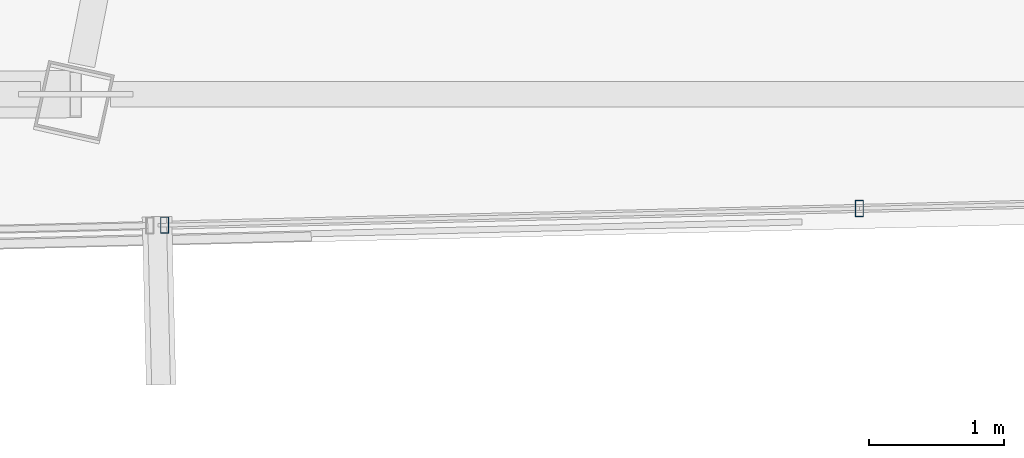
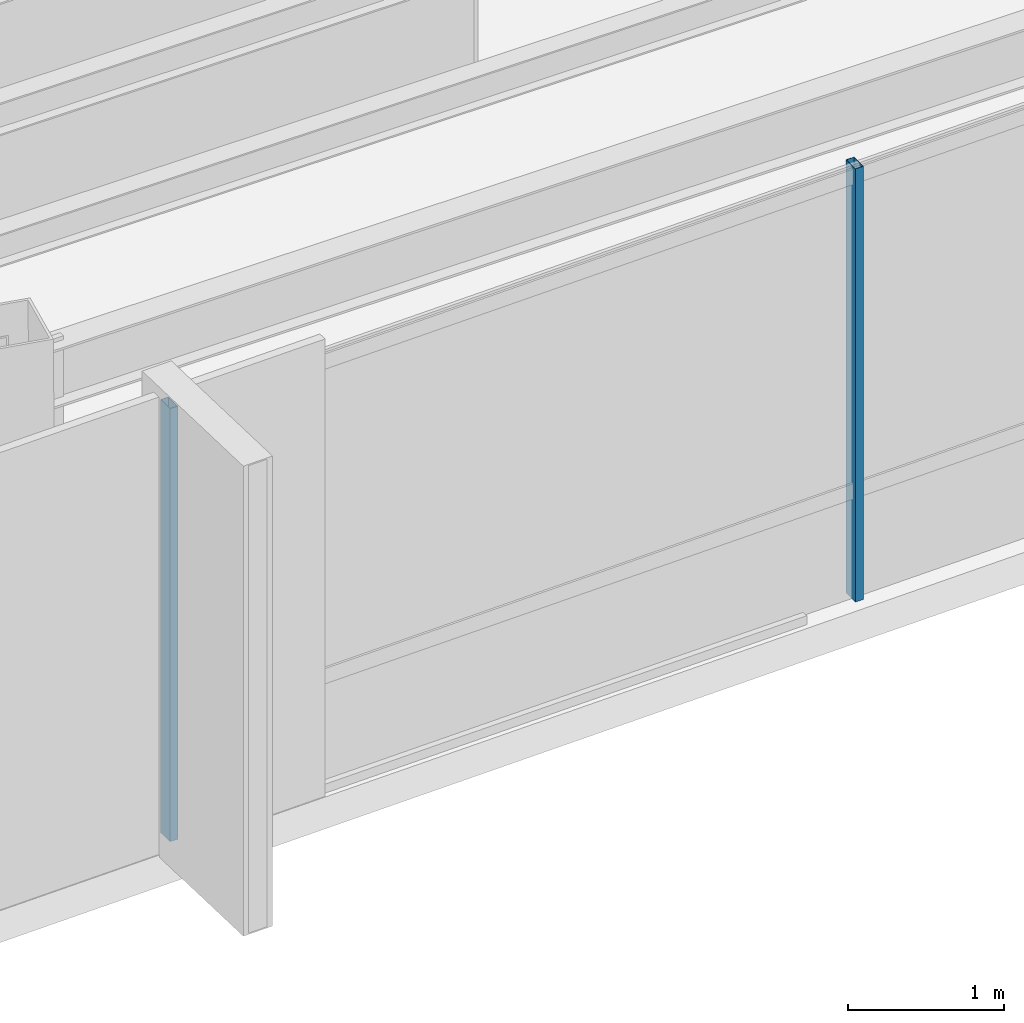
# One storey, part 21 of 45: 2 members, 1 element without a shape of its own.
"""IFC4 building model written with IfcOpenShell, lengths in metres."""

from ifc_helpers import new_model, si_unit, direction, frame, origin, origin_2d, place, context, subcontext, project, spatial, hollow_rectangle, extrude, source, transform, mapped, material, material_profile, profile_set, type_object, type_shapes, element, aggregate, save


model = new_model("IFC4")

# Units and contexts
model_context = context("Model", 3, precision=1e-05, world=origin(), true_north=direction((0.0, 1.0)))
body_context = subcontext(model_context, "Body", "Model", "MODEL_VIEW")
ifc_project = project(units=[si_unit("LENGTHUNIT", "METRE"), si_unit("AREAUNIT", "SQUARE_METRE"), si_unit("VOLUMEUNIT", "CUBIC_METRE"), si_unit("PLANEANGLEUNIT", "RADIAN"), si_unit("MASSUNIT", "GRAM", prefix="KILO")], contexts=[model_context])

# Site, building, storey
site_placement = place(None, origin())
site = spatial("IfcSite", under=ifc_project, at=site_placement, CompositionType="ELEMENT")
building_placement = place(site_placement, origin())
building = spatial("IfcBuilding", under=site, at=building_placement, Name="Caelisora Broadcast Tower", CompositionType="ELEMENT")
storey_placement = place(building_placement, frame((0.0, 0.0, 273.64990234375)))
storey = spatial("IfcBuildingStorey", under=building, at=storey_placement, Name="L72", CompositionType="ELEMENT", Elevation=273.64990234375)

# Curtain wall, members
ifc_material_1 = material(Name="Unitised Aluminium and Low-E Glass Curtain Wall", Category="glass")
curtain_wall_type = type_object("IfcCurtainWallType", Name="CW-Z5", PredefinedType="NOTDEFINED", material=ifc_material_1)
curtain_wall_placement = place(storey_placement, origin())
curtain_wall = element("IfcCurtainWall", 1, at=curtain_wall_placement, inside=storey, type_object=curtain_wall_type, Name="L72 curtain wall CW-Z5", PredefinedType="NOTDEFINED")
ifc_material_2 = material(Name="Aluminium 6063-T6 Anodised Terracotta Bronze", Category="aluminium")
ifc_material_profile = material_profile(ifc_material_2, hollow_rectangle(XDim=0.06005859375, YDim=0.1201171875, WallThickness=0.0029296875, at=origin_2d()), Name="Aluminium 6063-T6 Anodised Terracotta Bronze")
ifc_profile_set = profile_set([ifc_material_profile], Name="Aluminium 6063-T6 Anodised Terracotta Bronze")
member_type = type_object("IfcMemberType", Name="CWM-04", PredefinedType="MULLION", material=ifc_profile_set)
shared_shape = source(origin(), body_context, "Body", "SweptSolid", [
    extrude(hollow_rectangle(XDim=0.06005859375, YDim=0.1201171875, WallThickness=0.0029296875, at=origin_2d()), origin(), (0.0, 0.0, 1.0), 3.400146484375),
])
type_shapes(member_type, [shared_shape])
member_1_placement = place(storey_placement, frame((49.820068359375, 8.896728515625, 0.0), z_axis=(0.0, 0.0, 1.0), x_axis=(1.0, 0.0, 0.0)))
member_1 = element("IfcMember", 2, at=member_1_placement, type_object=member_type, Name="L72-CW-B05 mullion #2", PredefinedType="MULLION", context=body_context, shape_type="MappedRepresentation", body=[
    mapped(shared_shape, transform((0.0, 0.0, 0.0), scale=1.0)),
])
member_2_placement = place(storey_placement, frame((44.658935546875, 8.7724609375, 0.0), z_axis=(0.0, 0.0, 1.0), x_axis=(1.0, 0.0, 0.0)))
member_2 = element("IfcMember", 3, at=member_2_placement, type_object=member_type, Name="L72-CW-B05 mullion #3", PredefinedType="MULLION", context=body_context, shape_type="MappedRepresentation", body=[
    mapped(shared_shape, transform((0.0, 0.0, 0.0), scale=1.0)),
])
aggregate(curtain_wall, [member_1, member_2])

save(model, "model.ifc")
